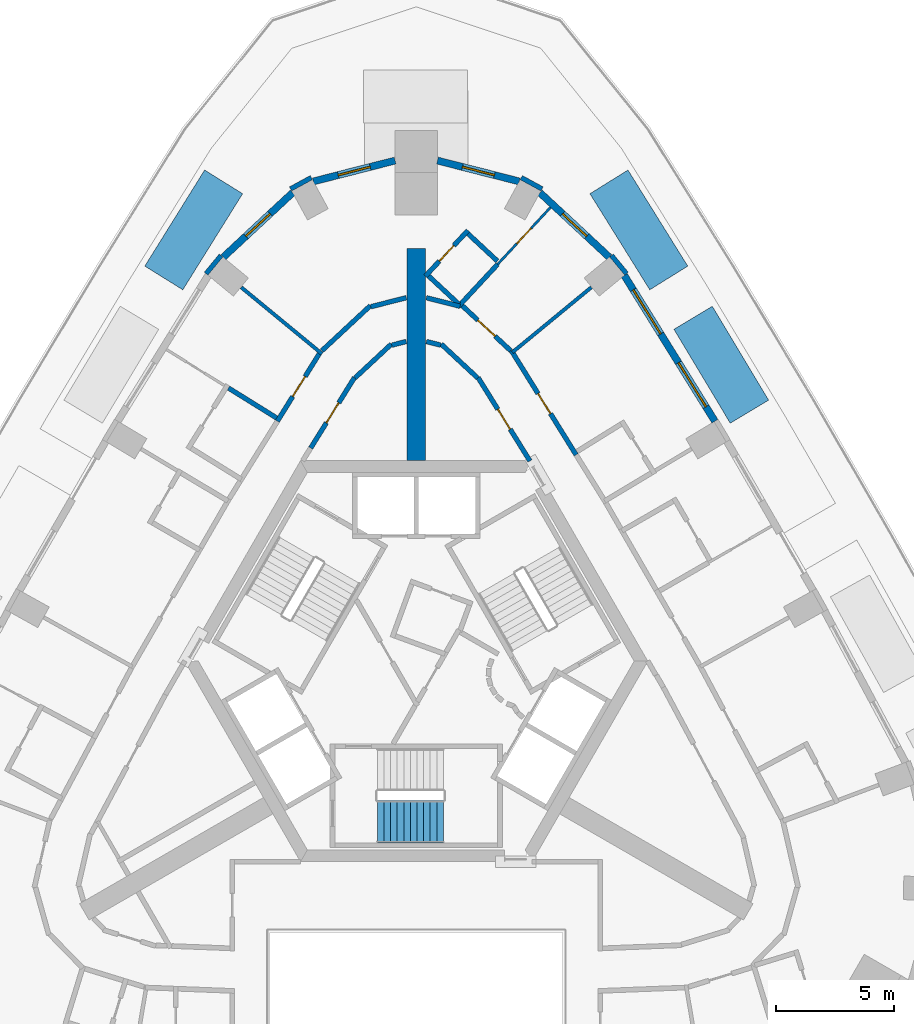
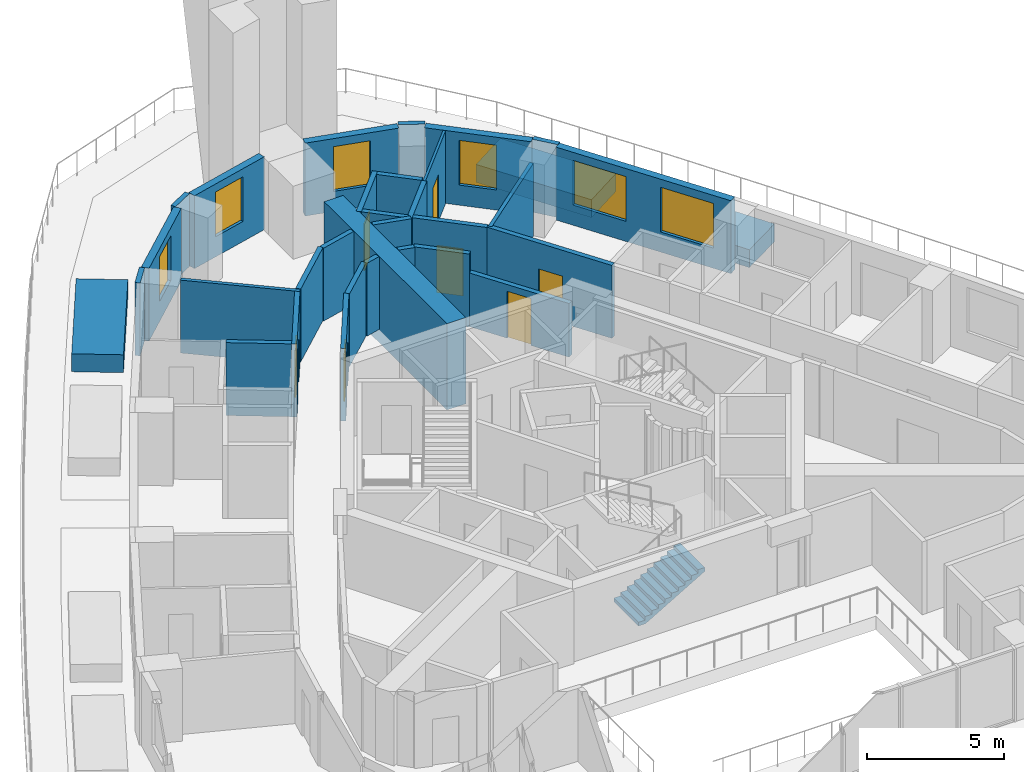
# One storey, part 8 of 12: 33 walls, 7 doors, 6 windows, 1 stair flight, 13 openings, 1 element without a shape of its own.
"""IFC4 building model written with IfcOpenShell, lengths in metres."""

from ifc_helpers import new_model, si_unit, direction, frame, frame_2d, origin, place, context, subcontext, project, spatial, polyline, rectangle, outline, extrude, material, layer, layer_set, type_object, element, fill, aggregate, save


model = new_model("IFC4")

# Units and contexts
model_context = context("Model", 3, precision=1e-05, world=origin(), true_north=direction((0.0, 1.0)))
body_context = subcontext(model_context, "Body", "Model", "MODEL_VIEW")
ifc_project = project(units=[si_unit("LENGTHUNIT", "METRE"), si_unit("AREAUNIT", "SQUARE_METRE"), si_unit("VOLUMEUNIT", "CUBIC_METRE"), si_unit("PLANEANGLEUNIT", "RADIAN"), si_unit("MASSUNIT", "GRAM", prefix="KILO")], contexts=[model_context])

# Site, building, storey
site_placement = place(None, origin())
site = spatial("IfcSite", under=ifc_project, at=site_placement, CompositionType="ELEMENT")
building_placement = place(site_placement, origin())
building = spatial("IfcBuilding", under=site, at=building_placement, Name="Entoto Arch Interchange Tower", CompositionType="ELEMENT")
storey_placement = place(building_placement, frame((0.0, 0.0, 286.39990234375)))
storey = spatial("IfcBuildingStorey", under=building, at=storey_placement, Name="L66", CompositionType="ELEMENT", Elevation=286.39990234375)

# Wall
ifc_material_1 = material(Name="Concrete C40/50", Category="concrete")
ifc_layer_1 = layer(ifc_material_1, 0.800048828125)
ifc_layer_set_1 = layer_set([ifc_layer_1], Name="Concrete C40/50")
wall_type_1 = type_object("IfcWallType", Name="Buttress wall 800 C40/50", PredefinedType="SHEAR", material=ifc_layer_set_1)
wall_1_placement = place(storey_placement, frame((0.0, 11.0, -0.599853515625), z_axis=(0.0, 0.0, 1.0), x_axis=(0.0, 1.0, 0.0)))
element("IfcWall", 1, at=wall_1_placement, inside=storey, type_object=wall_type_1, Name="Buttress wall N L66", PredefinedType="SHEAR", context=body_context, shape_type="SweptSolid", body=[
    extrude(rectangle(XDim=9.0, YDim=0.800048828125, at=frame_2d((4.5, 0.0))), origin(), (0.0, 0.0, 1.0), 3.85986328125),
])

# Wall, opening, door
ifc_material_2 = material(Name="Gypsum board partition on steel studs", Category="steel")
ifc_layer_2 = layer(ifc_material_2, 0.10009765625)
ifc_layer_set_2 = layer_set([ifc_layer_2], Name="Gypsum board partition on steel studs")
wall_type_2 = type_object("IfcWallType", Name="PARTITION 100", PredefinedType="PARTITIONING", material=ifc_layer_set_2)
wall_2_placement = place(storey_placement, frame((3.444091796875, 19.322021484375, 0.0), z_axis=(0.0, 0.0, 1.0), x_axis=(0.68085394361, 0.732419215662, 0.0)))
wall_2 = element("IfcWall", 2, at=wall_2_placement, inside=storey, type_object=wall_type_2, Name="wall:L66:p107", PredefinedType="PARTITIONING", context=body_context, shape_type="SweptSolid", body=[
    extrude(rectangle(XDim=3.300048828125, YDim=0.10009765625, at=frame_2d((1.64990234375, 0.0))), origin(), (0.0, 0.0, 1.0), 3.260009765625),
])
opening_1_placement = place(wall_2_placement, frame((1.199951171875, 0.0, 0.0)))
opening_1 = element("IfcOpeningElement", 3, at=opening_1_placement, cuts=wall_2, Name="Opening L66-D14", PredefinedType="OPENING", context=body_context, shape_type="SweptSolid", body=[
    extrude(rectangle(XDim=0.89990234375, YDim=2.10009765625, at=frame_2d((0.449951171875, 1.050048828125))), frame((0.0, 0.06005859375, 0.0), z_axis=(0.0, -1.0, 0.0), x_axis=(1.0, 0.0, 0.0)), (0.0, 0.0, 1.0), 0.1201171875),
])
ifc_material_3 = material(Name="Timber door leaf in Steel S235 frame", Category="steel")
door_type_1 = type_object("IfcDoorType", Name="DOOR DS-09 900x2100", OperationType="SINGLE_SWING_LEFT", PredefinedType="DOOR", material=ifc_material_3)
door_1_placement = place(opening_1_placement, origin())
door_1 = element("IfcDoor", 4, at=door_1_placement, inside=storey, type_object=door_type_1, Name="door:L66:14", OperationType="SINGLE_SWING_LEFT", OverallHeight=2.10009765625, OverallWidth=0.89990234375, PredefinedType="DOOR", context=body_context, shape_type="SweptSolid", body=[
    extrude(rectangle(XDim=0.89990234375, YDim=2.10009765625, at=frame_2d((0.449951171875, 1.050048828125))), frame((0.0, 0.02490234375, 0.0), z_axis=(0.0, -1.0, 0.0), x_axis=(1.0, 0.0, 0.0)), (0.0, 0.0, 1.0), 0.050048828125),
])
fill(opening_1, door_1)

# Walls
ifc_layer_3 = layer(ifc_material_2, 0.14990234375)
ifc_layer_set_3 = layer_set([ifc_layer_3], Name="Gypsum board partition on steel studs")
wall_type_3 = type_object("IfcWallType", Name="PARTITION 150", PredefinedType="PARTITIONING", material=ifc_layer_set_3)
wall_3_placement = place(storey_placement, frame((4.074951171875, 15.594970703125, 0.0), z_axis=(0.0, 0.0, 1.0), x_axis=(0.771899326406, 0.635744783616, 0.0)))
element("IfcWall", 5, at=wall_3_placement, inside=storey, type_object=wall_type_3, Name="wall:L66:p106", PredefinedType="PARTITIONING", context=body_context, shape_type="SweptSolid", body=[
    extrude(rectangle(XDim=4.332275390625, YDim=0.14990234375, at=frame_2d((2.166015625, 0.0))), origin(), (0.0, 0.0, 1.0), 3.260009765625),
])
wall_4_placement = place(storey_placement, frame((-3.998046875, 15.531982421875, 0.0), z_axis=(0.0, 0.0, 1.0), x_axis=(-0.771938186867, 0.635697597649, 0.0)))
element("IfcWall", 6, at=wall_4_placement, inside=storey, type_object=wall_type_3, Name="wall:L66:p112", PredefinedType="PARTITIONING", context=body_context, shape_type="SweptSolid", body=[
    extrude(rectangle(XDim=4.431640625, YDim=0.14990234375, at=frame_2d((2.2158203125, 0.0))), origin(), (0.0, 0.0, 1.0), 3.260009765625),
])

# Wall, opening, door
ifc_layer_4 = layer(ifc_material_2, 0.199951171875)
ifc_layer_set_4 = layer_set([ifc_layer_4], Name="Gypsum board partition on steel studs")
wall_type_4 = type_object("IfcWallType", Name="PARTITION 200", PredefinedType="PARTITIONING", material=ifc_layer_set_4)
wall_5_placement = place(storey_placement, frame((2.6201171875, 14.52587890625, 0.0), z_axis=(0.0, 0.0, 1.0), x_axis=(0.527726136463, -0.84941457775, 0.0)))
wall_5 = element("IfcWall", 7, at=wall_5_placement, inside=storey, type_object=wall_type_4, Name="wall:L66:p006", PredefinedType="PARTITIONING", context=body_context, shape_type="SweptSolid", body=[
    extrude(rectangle(XDim=4.1650390625, YDim=0.199951171875, at=frame_2d((2.08251953125, 0.0))), origin(), (0.0, 0.0, 1.0), 2.400146484375),
])
opening_2_placement = place(wall_5_placement, frame((1.5830078125, 0.0, 0.0)))
opening_2 = element("IfcOpeningElement", 8, at=opening_2_placement, cuts=wall_5, Name="Opening L66-D29", PredefinedType="OPENING", context=body_context, shape_type="SweptSolid", body=[
    extrude(rectangle(XDim=1.0, YDim=2.10009765625, at=frame_2d((0.5, 1.050048828125))), frame((0.0, 0.10986328125, 0.0), z_axis=(0.0, -1.0, 0.0), x_axis=(1.0, 0.0, 0.0)), (0.0, 0.0, 1.0), 0.219970703125),
])
door_type_2 = type_object("IfcDoorType", Name="DOOR DS-10 1000x2100", OperationType="SINGLE_SWING_LEFT", PredefinedType="DOOR", material=ifc_material_3)
door_2_placement = place(opening_2_placement, origin())
door_2 = element("IfcDoor", 9, at=door_2_placement, inside=storey, type_object=door_type_2, Name="door:L66:29", OperationType="SINGLE_SWING_RIGHT", OverallHeight=2.10009765625, OverallWidth=1.0, PredefinedType="DOOR", context=body_context, shape_type="SweptSolid", body=[
    extrude(rectangle(XDim=1.0, YDim=2.10009765625, at=frame_2d((0.5, 1.050048828125))), frame((0.0, 0.02490234375, 0.0), z_axis=(0.0, -1.0, 0.0), x_axis=(1.0, 0.0, 0.0)), (0.0, 0.0, 1.0), 0.050048828125),
])
fill(opening_2, door_2)

# Walls
wall_6_placement = place(storey_placement, frame((2.60009765625, 14.509033203125, 0.0), z_axis=(0.0, 0.0, 1.0), x_axis=(-0.732355024595, 0.680922989735, 0.0)))
element("IfcWall", 10, at=wall_6_placement, inside=storey, type_object=wall_type_4, Name="wall:L66:p007", PredefinedType="PARTITIONING", context=body_context, shape_type="SweptSolid", body=[
    extrude(rectangle(XDim=2.102783203125, YDim=0.199951171875, at=frame_2d((1.05126953125, 0.0))), origin(), (0.0, 0.0, 1.0), 3.260009765625),
])
for number, where, z_axis, x_axis, name in (
    (11, (1.035888671875, 15.89794921875, 0.0), (0.0, 0.0, 1.0), (-0.968899933785, 0.247452860787, 0.0), "wall:L66:p008"),
    (12, (-0.425048828125, 16.053955078125, 0.0), (0.0, 0.0, 1.0), (-0.968899933785, -0.247452860787, 0.0), "wall:L66:p009"),
):
    element("IfcWall", number, at=place(storey_placement, frame(where, z_axis=z_axis, x_axis=x_axis)), inside=storey, type_object=wall_type_4, Name=name, PredefinedType="PARTITIONING", context=body_context, shape_type="SweptSolid", body=[
        extrude(rectangle(XDim=0.63037109375, YDim=0.199951171875, at=frame_2d((0.315185546875, 0.0))), origin(), (0.0, 0.0, 1.0), 3.260009765625),
    ])
wall_7_placement = place(storey_placement, frame((-1.06005859375, 15.94091796875, 0.0), z_axis=(0.0, 0.0, 1.0), x_axis=(-0.732355024595, -0.680922989735, 0.0)))
element("IfcWall", 13, at=wall_7_placement, inside=storey, type_object=wall_type_4, Name="wall:L66:p010", PredefinedType="PARTITIONING", context=body_context, shape_type="SweptSolid", body=[
    extrude(rectangle(XDim=2.102783203125, YDim=0.199951171875, at=frame_2d((1.05126953125, 0.0))), origin(), (0.0, 0.0, 1.0), 3.260009765625),
])

# Wall, opening, door
wall_8_placement = place(storey_placement, frame((-2.6201171875, 14.52587890625, 0.0), z_axis=(0.0, 0.0, 1.0), x_axis=(-0.527787942423, -0.849376175692, 0.0)))
wall_8 = element("IfcWall", 14, at=wall_8_placement, inside=storey, type_object=wall_type_4, Name="wall:L66:p011", PredefinedType="PARTITIONING", context=body_context, shape_type="SweptSolid", body=[
    extrude(rectangle(XDim=3.5166015625, YDim=0.199951171875, at=frame_2d((1.75830078125, 0.0))), origin(), (0.0, 0.0, 1.0), 3.260009765625),
])
opening_3_placement = place(wall_8_placement, frame((1.258056640625, 0.0, 0.0)))
opening_3 = element("IfcOpeningElement", 15, at=opening_3_placement, cuts=wall_8, Name="Opening L66-D30", PredefinedType="OPENING", context=body_context, shape_type="SweptSolid", body=[
    extrude(rectangle(XDim=1.0, YDim=2.10009765625, at=frame_2d((0.5, 1.050048828125))), frame((0.0, 0.10986328125, 0.0), z_axis=(0.0, -1.0, 0.0), x_axis=(1.0, 0.0, 0.0)), (0.0, 0.0, 1.0), 0.219970703125),
])
door_3_placement = place(opening_3_placement, origin())
door_3 = element("IfcDoor", 16, at=door_3_placement, inside=storey, type_object=door_type_2, Name="door:L66:30", OperationType="SINGLE_SWING_RIGHT", OverallHeight=2.10009765625, OverallWidth=1.0, PredefinedType="DOOR", context=body_context, shape_type="SweptSolid", body=[
    extrude(rectangle(XDim=1.0, YDim=2.10009765625, at=frame_2d((0.5, 1.050048828125))), frame((0.0, 0.02490234375, 0.0), z_axis=(0.0, -1.0, 0.0), x_axis=(1.0, 0.0, 0.0)), (0.0, 0.0, 1.0), 0.050048828125),
])
fill(opening_3, door_3)

wall_9_placement = place(storey_placement, frame((4.02197265625, 15.679931640625, 0.0), z_axis=(0.0, 0.0, 1.0), x_axis=(0.527737948498, -0.849407239029, 0.0)))
wall_9 = element("IfcWall", 17, at=wall_9_placement, inside=storey, type_object=wall_type_4, Name="wall:L66:p040", PredefinedType="PARTITIONING", context=body_context, shape_type="SweptSolid", body=[
    extrude(rectangle(XDim=5.216552734375, YDim=0.199951171875, at=frame_2d((2.6083984375, 0.0))), origin(), (0.0, 0.0, 1.0), 3.260009765625),
])
opening_4_placement = place(wall_9_placement, frame((2.158935546875, 0.0, 0.0)))
opening_4 = element("IfcOpeningElement", 18, at=opening_4_placement, cuts=wall_9, Name="Opening L66-D11", PredefinedType="OPENING", context=body_context, shape_type="SweptSolid", body=[
    extrude(rectangle(XDim=1.0, YDim=2.10009765625, at=frame_2d((0.5, 1.050048828125))), frame((0.0, 0.10986328125, 0.0), z_axis=(0.0, -1.0, 0.0), x_axis=(1.0, 0.0, 0.0)), (0.0, 0.0, 1.0), 0.219970703125),
])
ifc_material_4 = material(Name="Fire-rated Steel S235 door and frame", Category="steel")
door_type_3 = type_object("IfcDoorType", Name="DOOR FD-10 1000x2100", OperationType="SINGLE_SWING_LEFT", PredefinedType="DOOR", material=ifc_material_4)
door_4_placement = place(opening_4_placement, origin())
door_4 = element("IfcDoor", 19, at=door_4_placement, inside=storey, type_object=door_type_3, Name="door:L66:11", OperationType="SINGLE_SWING_LEFT", OverallHeight=2.10009765625, OverallWidth=1.0, PredefinedType="DOOR", context=body_context, shape_type="SweptSolid", body=[
    extrude(rectangle(XDim=1.0, YDim=2.10009765625, at=frame_2d((0.5, 1.050048828125))), frame((0.0, 0.02490234375, 0.0), z_axis=(0.0, -1.0, 0.0), x_axis=(1.0, 0.0, 0.0)), (0.0, 0.0, 1.0), 0.050048828125),
])
fill(opening_4, door_4)

wall_10_placement = place(storey_placement, frame((1.948974609375, 17.572021484375, 0.0), z_axis=(0.0, 0.0, 1.0), x_axis=(0.732331154554, -0.680948661846, 0.0)))
wall_10 = element("IfcWall", 20, at=wall_10_placement, inside=storey, type_object=wall_type_4, Name="wall:L66:p042", PredefinedType="PARTITIONING", context=body_context, shape_type="SweptSolid", body=[
    extrude(rectangle(XDim=2.803466796875, YDim=0.199951171875, at=frame_2d((1.40185546875, 0.0))), origin(), (0.0, 0.0, 1.0), 3.260009765625),
])
opening_5_placement = place(wall_10_placement, frame((0.90087890625, 0.0, 0.0)))
opening_5 = element("IfcOpeningElement", 21, at=opening_5_placement, cuts=wall_10, Name="Opening L66-D13", PredefinedType="OPENING", context=body_context, shape_type="SweptSolid", body=[
    extrude(rectangle(XDim=1.0, YDim=2.10009765625, at=frame_2d((0.5, 1.050048828125))), frame((0.0, 0.10986328125, 0.0), z_axis=(0.0, -1.0, 0.0), x_axis=(1.0, 0.0, 0.0)), (0.0, 0.0, 1.0), 0.219970703125),
])
door_5_placement = place(opening_5_placement, origin())
door_5 = element("IfcDoor", 22, at=door_5_placement, inside=storey, type_object=door_type_3, Name="door:L66:13", OperationType="SINGLE_SWING_LEFT", OverallHeight=2.10009765625, OverallWidth=1.0, PredefinedType="DOOR", context=body_context, shape_type="SweptSolid", body=[
    extrude(rectangle(XDim=1.0, YDim=2.10009765625, at=frame_2d((0.5, 1.050048828125))), frame((0.0, 0.02490234375, 0.0), z_axis=(0.0, -1.0, 0.0), x_axis=(1.0, 0.0, 0.0)), (0.0, 0.0, 1.0), 0.050048828125),
])
fill(opening_5, door_5)

# Walls
wall_11_placement = place(storey_placement, frame((-4.001953125, 15.6630859375, 0.0), z_axis=(0.0, 0.0, 1.0), x_axis=(0.732331154554, 0.680948661846, 0.0)))
element("IfcWall", 23, at=wall_11_placement, inside=storey, type_object=wall_type_4, Name="wall:L66:p043", PredefinedType="PARTITIONING", context=body_context, shape_type="SweptSolid", body=[
    extrude(rectangle(XDim=2.803466796875, YDim=0.199951171875, at=frame_2d((1.40185546875, 0.0))), origin(), (0.0, 0.0, 1.0), 3.260009765625),
])
wall_12_placement = place(storey_placement, frame((-1.926025390625, 17.528076171875, 0.0), z_axis=(0.0, 0.0, 1.0), x_axis=(0.968981980879, 0.247131383542, 0.0)))
element("IfcWall", 24, at=wall_12_placement, inside=storey, type_object=wall_type_4, Name="wall:L66:p044", PredefinedType="PARTITIONING", context=body_context, shape_type="SweptSolid", body=[
    extrude(rectangle(XDim=1.549072265625, YDim=0.199951171875, at=frame_2d((0.7744140625, 0.0))), origin(), (0.0, 0.0, 1.0), 3.260009765625),
])
wall_13_placement = place(storey_placement, frame((0.425048828125, 17.910888671875, 0.0), z_axis=(0.0, 0.0, 1.0), x_axis=(0.969051069597, -0.246860334023, 0.0)))
element("IfcWall", 25, at=wall_13_placement, inside=storey, type_object=wall_type_4, Name="wall:L66:p045", PredefinedType="PARTITIONING", context=body_context, shape_type="SweptSolid", body=[
    extrude(rectangle(XDim=1.4736328125, YDim=0.199951171875, at=frame_2d((0.73681640625, 0.0))), origin(), (0.0, 0.0, 1.0), 3.260009765625),
])

# Wall, opening, door
wall_14_placement = place(storey_placement, frame((-5.888916015625, 12.675048828125, 0.0), z_axis=(0.0, 0.0, 1.0), x_axis=(0.527550626699, 0.849523593709, 0.0)))
wall_14 = element("IfcWall", 26, at=wall_14_placement, inside=storey, type_object=wall_type_4, Name="wall:L66:p046", PredefinedType="PARTITIONING", context=body_context, shape_type="SweptSolid", body=[
    extrude(rectangle(XDim=3.462890625, YDim=0.199951171875, at=frame_2d((1.7314453125, 0.0))), origin(), (0.0, 0.0, 1.0), 3.260009765625),
])
opening_6_placement = place(wall_14_placement, frame((1.23095703125, 0.0, 0.0)))
opening_6 = element("IfcOpeningElement", 27, at=opening_6_placement, cuts=wall_14, Name="Opening L66-D16", PredefinedType="OPENING", context=body_context, shape_type="SweptSolid", body=[
    extrude(rectangle(XDim=1.0, YDim=2.10009765625, at=frame_2d((0.5, 1.050048828125))), frame((0.0, 0.10986328125, 0.0), z_axis=(0.0, -1.0, 0.0), x_axis=(1.0, 0.0, 0.0)), (0.0, 0.0, 1.0), 0.219970703125),
])
door_6_placement = place(opening_6_placement, origin())
door_6 = element("IfcDoor", 28, at=door_6_placement, inside=storey, type_object=door_type_3, Name="door:L66:16", OperationType="SINGLE_SWING_LEFT", OverallHeight=2.10009765625, OverallWidth=1.0, PredefinedType="DOOR", context=body_context, shape_type="SweptSolid", body=[
    extrude(rectangle(XDim=1.0, YDim=2.10009765625, at=frame_2d((0.5, 1.050048828125))), frame((0.0, 0.02490234375, 0.0), z_axis=(0.0, -1.0, 0.0), x_axis=(1.0, 0.0, 0.0)), (0.0, 0.0, 1.0), 0.050048828125),
])
fill(opening_6, door_6)

# Walls
wall_15_placement = place(storey_placement, frame((1.77587890625, 17.528076171875, 0.0), z_axis=(0.0, 0.0, 1.0), x_axis=(0.680978439741, 0.732303464834, 0.0)))
element("IfcWall", 29, at=wall_15_placement, inside=storey, type_object=wall_type_4, Name="wall:L66:p108", PredefinedType="PARTITIONING", context=body_context, shape_type="SweptSolid", body=[
    extrude(rectangle(XDim=2.44970703125, YDim=0.199951171875, at=frame_2d((1.224853515625, 0.0))), origin(), (0.0, 0.0, 1.0), 3.260009765625),
])
wall_16_placement = place(storey_placement, frame((3.43896484375, 19.464111328125, 0.0), z_axis=(0.0, 0.0, 1.0), x_axis=(-0.732491549411, 0.68077612329, 0.0)))
element("IfcWall", 30, at=wall_16_placement, inside=storey, type_object=wall_type_4, Name="wall:L66:p109", PredefinedType="PARTITIONING", context=body_context, shape_type="SweptSolid", body=[
    extrude(rectangle(XDim=1.699462890625, YDim=0.199951171875, at=frame_2d((0.849609375, 0.0))), origin(), (0.0, 0.0, 1.0), 3.260009765625),
])

# Wall, opening, door
wall_17_placement = place(storey_placement, frame((2.18896484375, 20.762939453125, 0.0), z_axis=(0.0, 0.0, 1.0), x_axis=(-0.680987945319, -0.73229462536, 0.0)))
wall_17 = element("IfcWall", 31, at=wall_17_placement, inside=storey, type_object=wall_type_4, Name="wall:L66:p110", PredefinedType="PARTITIONING", context=body_context, shape_type="SweptSolid", body=[
    extrude(rectangle(XDim=2.650390625, YDim=0.199951171875, at=frame_2d((1.3251953125, 0.0))), origin(), (0.0, 0.0, 1.0), 3.260009765625),
])
opening_7_placement = place(wall_17_placement, frame((0.875, 0.0, 0.0)))
opening_7 = element("IfcOpeningElement", 32, at=opening_7_placement, cuts=wall_17, Name="Opening L66-D15", PredefinedType="OPENING", context=body_context, shape_type="SweptSolid", body=[
    extrude(rectangle(XDim=0.89990234375, YDim=2.10009765625, at=frame_2d((0.449951171875, 1.050048828125))), frame((0.0, 0.10986328125, 0.0), z_axis=(0.0, -1.0, 0.0), x_axis=(1.0, 0.0, 0.0)), (0.0, 0.0, 1.0), 0.219970703125),
])
door_7_placement = place(opening_7_placement, origin())
door_7 = element("IfcDoor", 33, at=door_7_placement, inside=storey, type_object=door_type_1, Name="door:L66:15", OperationType="SINGLE_SWING_LEFT", OverallHeight=2.10009765625, OverallWidth=0.89990234375, PredefinedType="DOOR", context=body_context, shape_type="SweptSolid", body=[
    extrude(rectangle(XDim=0.89990234375, YDim=2.10009765625, at=frame_2d((0.449951171875, 1.050048828125))), frame((0.0, 0.02490234375, 0.0), z_axis=(0.0, -1.0, 0.0), x_axis=(1.0, 0.0, 0.0)), (0.0, 0.0, 1.0), 0.050048828125),
])
fill(opening_7, door_7)

# Walls
wall_18_placement = place(storey_placement, frame((0.52587890625, 18.826904296875, 0.0), z_axis=(0.0, 0.0, 1.0), x_axis=(0.732112296378, -0.681183958628, 0.0)))
element("IfcWall", 34, at=wall_18_placement, inside=storey, type_object=wall_type_4, Name="wall:L66:p111", PredefinedType="PARTITIONING", context=body_context, shape_type="SweptSolid", body=[
    extrude(rectangle(XDim=1.749755859375, YDim=0.199951171875, at=frame_2d((0.875, 0.0))), origin(), (0.0, 0.0, 1.0), 3.260009765625),
])
wall_19_placement = place(storey_placement, frame((-5.9208984375, 12.81298828125, 0.0), z_axis=(0.0, 0.0, 1.0), x_axis=(-0.849366650736, 0.527803270752, 0.0)))
element("IfcWall", 35, at=wall_19_placement, inside=storey, type_object=wall_type_4, Name="wall:L66:p114", PredefinedType="PARTITIONING", context=body_context, shape_type="SweptSolid", body=[
    extrude(rectangle(XDim=2.400634765625, YDim=0.199951171875, at=frame_2d((1.2001953125, 0.0))), origin(), (0.0, 0.0, 1.0), 3.260009765625),
])
ifc_material_5 = material(Name="Board-marked precast concrete C50/60", Category="concrete")
ifc_layer_5 = layer(ifc_material_5, 1.89990234375)
ifc_layer_set_5 = layer_set([ifc_layer_5], Name="Board-marked precast concrete C50/60")
wall_type_5 = type_object("IfcWallType", Name="PLANTER RC 1900 Hagenia abyssinica", PredefinedType="STANDARD", material=ifc_layer_set_5)
wall_20_placement = place(storey_placement, frame((14.123046875, 13.0791015625, 0.0), z_axis=(0.0, 0.0, 1.0), x_axis=(-0.514333285091, 0.857590386984, 0.0)))
element("IfcWall", 36, at=wall_20_placement, inside=storey, type_object=wall_type_5, Name="Terrace planter NE-04 L66", PredefinedType="STANDARD", context=body_context, shape_type="SweptSolid", body=[
    extrude(rectangle(XDim=4.640869140625, YDim=1.89990234375, at=frame_2d((2.3203125, 0.0))), origin(), (0.0, 0.0, 1.0), 0.800048828125),
])
ifc_layer_6 = layer(ifc_material_5, 1.89990234375)
ifc_layer_set_6 = layer_set([ifc_layer_6], Name="Board-marked precast concrete C50/60")
wall_type_6 = type_object("IfcWallType", Name="PLANTER RC 1900 Olea europaea subsp. cuspidata", PredefinedType="STANDARD", material=ifc_layer_set_6)
wall_21_placement = place(storey_placement, frame((-8.1669921875, 22.821044921875, 0.0), z_axis=(0.0, 0.0, 1.0), x_axis=(-0.528631074262, -0.848851687472, 0.0)))
element("IfcWall", 37, at=wall_21_placement, inside=storey, type_object=wall_type_6, Name="Terrace planter NW-01 L66", PredefinedType="STANDARD", context=body_context, shape_type="SweptSolid", body=[
    extrude(rectangle(XDim=4.79931640625, YDim=1.89990234375, at=frame_2d((2.399658203125, 0.0))), origin(), (0.0, 0.0, 1.0), 0.800048828125),
])
ifc_layer_7 = layer(ifc_material_5, 1.89990234375)
ifc_layer_set_7 = layer_set([ifc_layer_7], Name="Board-marked precast concrete C50/60")
wall_type_7 = type_object("IfcWallType", Name="PLANTER RC 1900 Vachellia abyssinica", PredefinedType="STANDARD", material=ifc_layer_set_7)
wall_22_placement = place(storey_placement, frame((10.7041015625, 18.7470703125, 0.0), z_axis=(0.0, 0.0, 1.0), x_axis=(-0.528631074262, 0.848851687472, 0.0)))
element("IfcWall", 38, at=wall_22_placement, inside=storey, type_object=wall_type_7, Name="Terrace planter NE-05 L66", PredefinedType="STANDARD", context=body_context, shape_type="SweptSolid", body=[
    extrude(rectangle(XDim=4.79931640625, YDim=1.89990234375, at=frame_2d((2.399658203125, 0.0))), origin(), (0.0, 0.0, 1.0), 0.800048828125),
])

# Wall, openings, windows
ifc_material_6 = material(Name="Welded tuff (ignimbrite) cladding, warm buff", Category="masonry")
ifc_layer_8 = layer(ifc_material_6, 0.300048828125)
ifc_layer_set_8 = layer_set([ifc_layer_8], Name="Welded tuff (ignimbrite) cladding, warm buff")
wall_type_8 = type_object("IfcWallType", Name="STONE INFILL WALL 300", PredefinedType="STANDARD", material=ifc_layer_set_8)
wall_23_placement = place(storey_placement, frame((12.658935546875, 12.675048828125, 0.0), z_axis=(0.0, 0.0, 1.0), x_axis=(-0.527762071678, 0.849392250788, 0.0)))
wall_23 = element("IfcWall", 39, at=wall_23_placement, inside=storey, type_object=wall_type_8, Name="Facade wall NE-03 L66", PredefinedType="STANDARD", context=body_context, shape_type="SweptSolid", body=[
    extrude(rectangle(XDim=7.275634765625, YDim=0.300048828125, at=frame_2d((3.6376953125, 0.0))), origin(), (0.0, 0.0, 1.0), 3.260009765625),
])
opening_8_placement = place(wall_23_placement, frame((0.718994140625, 0.0, 0.89990234375)))
opening_8 = element("IfcOpeningElement", 40, at=opening_8_placement, cuts=wall_23, Name="Opening WH-A", PredefinedType="OPENING", context=body_context, shape_type="SweptSolid", body=[
    extrude(rectangle(XDim=2.199951171875, YDim=2.0, at=frame_2d((1.10009765625, 1.0))), frame((0.0, 0.16015625, 0.0), z_axis=(0.0, -1.0, 0.0), x_axis=(1.0, 0.0, 0.0)), (0.0, 0.0, 1.0), 0.320068359375),
])
opening_9_placement = place(wall_23_placement, frame((4.35693359375, 0.0, 0.89990234375)))
opening_9 = element("IfcOpeningElement", 41, at=opening_9_placement, cuts=wall_23, Name="Opening WH-A", PredefinedType="OPENING", context=body_context, shape_type="SweptSolid", body=[
    extrude(rectangle(XDim=2.199951171875, YDim=2.0, at=frame_2d((1.10009765625, 1.0))), frame((0.0, 0.16015625, 0.0), z_axis=(0.0, -1.0, 0.0), x_axis=(1.0, 0.0, 0.0)), (0.0, 0.0, 1.0), 0.320068359375),
])
ifc_material_7 = material(Name="Clear glass, low-e double glazed", Category="glass")
window_type_1 = type_object("IfcWindowType", Name="WINDOW WH-A 2200x2000", PartitioningType="DOUBLE_PANEL_VERTICAL", PredefinedType="WINDOW", material=ifc_material_7)
window_1_placement = place(opening_8_placement, origin())
window_1 = element("IfcWindow", 42, at=window_1_placement, inside=storey, type_object=window_type_1, Name="Window WH-A NE-03 L66", OverallHeight=2.0, OverallWidth=2.199951171875, PartitioningType="SINGLE_PANEL", PredefinedType="WINDOW", context=body_context, shape_type="SweptSolid", body=[
    extrude(rectangle(XDim=2.199951171875, YDim=2.0, at=frame_2d((1.10009765625, 1.0))), frame((0.0, 0.030029296875, 0.0), z_axis=(0.0, -1.0, 0.0), x_axis=(1.0, 0.0, 0.0)), (0.0, 0.0, 1.0), 0.06005859375),
])
fill(opening_8, window_1)
window_2_placement = place(opening_9_placement, origin())
window_2 = element("IfcWindow", 43, at=window_2_placement, inside=storey, type_object=window_type_1, Name="Window WH-A NE-03 L66", OverallHeight=2.0, OverallWidth=2.199951171875, PartitioningType="SINGLE_PANEL", PredefinedType="WINDOW", context=body_context, shape_type="SweptSolid", body=[
    extrude(rectangle(XDim=2.199951171875, YDim=2.0, at=frame_2d((1.10009765625, 1.0))), frame((0.0, 0.030029296875, 0.0), z_axis=(0.0, -1.0, 0.0), x_axis=(1.0, 0.0, 0.0)), (0.0, 0.0, 1.0), 0.06005859375),
])
fill(opening_9, window_2)

# Wall, opening, window
wall_24_placement = place(storey_placement, frame((8.18408203125, 19.6259765625, 0.0), z_axis=(0.0, 0.0, 1.0), x_axis=(-0.732397380344, 0.680877431896, 0.0)))
wall_24 = element("IfcWall", 44, at=wall_24_placement, inside=storey, type_object=wall_type_8, Name="Facade wall N-01 L66", PredefinedType="STANDARD", context=body_context, shape_type="SweptSolid", body=[
    extrude(rectangle(XDim=4.0185546875, YDim=0.300048828125, at=frame_2d((2.00927734375, 0.0))), origin(), (0.0, 0.0, 1.0), 3.260009765625),
])
opening_10_placement = place(wall_24_placement, frame((1.30908203125, 0.0, 0.89990234375)))
opening_10 = element("IfcOpeningElement", 45, at=opening_10_placement, cuts=wall_24, Name="Opening WH-B", PredefinedType="OPENING", context=body_context, shape_type="SweptSolid", body=[
    extrude(rectangle(XDim=1.39990234375, YDim=2.0, at=frame_2d((0.699951171875, 1.0))), frame((0.0, 0.16015625, 0.0), z_axis=(0.0, -1.0, 0.0), x_axis=(1.0, 0.0, 0.0)), (0.0, 0.0, 1.0), 0.320068359375),
])
window_type_2 = type_object("IfcWindowType", Name="WINDOW WH-B 1400x2000", PartitioningType="DOUBLE_PANEL_VERTICAL", PredefinedType="WINDOW", material=ifc_material_7)
window_3_placement = place(opening_10_placement, origin())
window_3 = element("IfcWindow", 46, at=window_3_placement, inside=storey, type_object=window_type_2, Name="Window WH-B N-01 L66", OverallHeight=2.0, OverallWidth=1.39990234375, PartitioningType="SINGLE_PANEL", PredefinedType="WINDOW", context=body_context, shape_type="SweptSolid", body=[
    extrude(rectangle(XDim=1.39990234375, YDim=2.0, at=frame_2d((0.699951171875, 1.0))), frame((0.0, 0.030029296875, 0.0), z_axis=(0.0, -1.0, 0.0), x_axis=(1.0, 0.0, 0.0)), (0.0, 0.0, 1.0), 0.06005859375),
])
fill(opening_10, window_3)

wall_25_placement = place(storey_placement, frame((4.364990234375, 22.840087890625, 0.0), z_axis=(0.0, 0.0, 1.0), x_axis=(-0.968979290476, 0.247141932156, 0.0)))
wall_25 = element("IfcWall", 47, at=wall_25_placement, inside=storey, type_object=wall_type_8, Name="Facade wall N-02 L66", PredefinedType="STANDARD", context=body_context, shape_type="SweptSolid", body=[
    extrude(rectangle(XDim=3.576904296875, YDim=0.300048828125, at=frame_2d((1.78857421875, 0.0))), origin(), (0.0, 0.0, 1.0), 3.260009765625),
])
opening_11_placement = place(wall_25_placement, frame((1.087890625, 0.0, 0.89990234375)))
opening_11 = element("IfcOpeningElement", 48, at=opening_11_placement, cuts=wall_25, Name="Opening WH-B", PredefinedType="OPENING", context=body_context, shape_type="SweptSolid", body=[
    extrude(rectangle(XDim=1.39990234375, YDim=2.0, at=frame_2d((0.699951171875, 1.0))), frame((0.0, 0.16015625, 0.0), z_axis=(0.0, -1.0, 0.0), x_axis=(1.0, 0.0, 0.0)), (0.0, 0.0, 1.0), 0.320068359375),
])
window_4_placement = place(opening_11_placement, origin())
window_4 = element("IfcWindow", 49, at=window_4_placement, inside=storey, type_object=window_type_2, Name="Window WH-B N-02 L66", OverallHeight=2.0, OverallWidth=1.39990234375, PartitioningType="SINGLE_PANEL", PredefinedType="WINDOW", context=body_context, shape_type="SweptSolid", body=[
    extrude(rectangle(XDim=1.39990234375, YDim=2.0, at=frame_2d((0.699951171875, 1.0))), frame((0.0, 0.030029296875, 0.0), z_axis=(0.0, -1.0, 0.0), x_axis=(1.0, 0.0, 0.0)), (0.0, 0.0, 1.0), 0.06005859375),
])
fill(opening_11, window_4)

wall_26_placement = place(storey_placement, frame((-0.89892578125, 23.72412109375, 0.0), z_axis=(0.0, 0.0, 1.0), x_axis=(-0.968979290476, -0.247141932156, 0.0)))
wall_26 = element("IfcWall", 50, at=wall_26_placement, inside=storey, type_object=wall_type_8, Name="Facade wall N-03 L66", PredefinedType="STANDARD", context=body_context, shape_type="SweptSolid", body=[
    extrude(rectangle(XDim=3.576904296875, YDim=0.300048828125, at=frame_2d((1.78857421875, 0.0))), origin(), (0.0, 0.0, 1.0), 3.260009765625),
])
opening_12_placement = place(wall_26_placement, frame((1.087890625, 0.0, 0.89990234375)))
opening_12 = element("IfcOpeningElement", 51, at=opening_12_placement, cuts=wall_26, Name="Opening WH-B", PredefinedType="OPENING", context=body_context, shape_type="SweptSolid", body=[
    extrude(rectangle(XDim=1.39990234375, YDim=2.0, at=frame_2d((0.699951171875, 1.0))), frame((0.0, 0.16015625, 0.0), z_axis=(0.0, -1.0, 0.0), x_axis=(1.0, 0.0, 0.0)), (0.0, 0.0, 1.0), 0.320068359375),
])
window_5_placement = place(opening_12_placement, origin())
window_5 = element("IfcWindow", 52, at=window_5_placement, inside=storey, type_object=window_type_2, Name="Window WH-B N-03 L66", OverallHeight=2.0, OverallWidth=1.39990234375, PartitioningType="SINGLE_PANEL", PredefinedType="WINDOW", context=body_context, shape_type="SweptSolid", body=[
    extrude(rectangle(XDim=1.39990234375, YDim=2.0, at=frame_2d((0.699951171875, 1.0))), frame((0.0, 0.030029296875, 0.0), z_axis=(0.0, -1.0, 0.0), x_axis=(1.0, 0.0, 0.0)), (0.0, 0.0, 1.0), 0.06005859375),
])
fill(opening_12, window_5)

wall_27_placement = place(storey_placement, frame((-5.240966796875, 22.362060546875, 0.0), z_axis=(0.0, 0.0, 1.0), x_axis=(-0.732397380344, -0.680877431896, 0.0)))
wall_27 = element("IfcWall", 53, at=wall_27_placement, inside=storey, type_object=wall_type_8, Name="Facade wall N-04 L66", PredefinedType="STANDARD", context=body_context, shape_type="SweptSolid", body=[
    extrude(rectangle(XDim=4.0185546875, YDim=0.300048828125, at=frame_2d((2.00927734375, 0.0))), origin(), (0.0, 0.0, 1.0), 3.260009765625),
])
opening_13_placement = place(wall_27_placement, frame((1.30908203125, 0.0, 0.89990234375)))
opening_13 = element("IfcOpeningElement", 54, at=opening_13_placement, cuts=wall_27, Name="Opening WH-B", PredefinedType="OPENING", context=body_context, shape_type="SweptSolid", body=[
    extrude(rectangle(XDim=1.39990234375, YDim=2.0, at=frame_2d((0.699951171875, 1.0))), frame((0.0, 0.16015625, 0.0), z_axis=(0.0, -1.0, 0.0), x_axis=(1.0, 0.0, 0.0)), (0.0, 0.0, 1.0), 0.320068359375),
])
window_6_placement = place(opening_13_placement, origin())
window_6 = element("IfcWindow", 55, at=window_6_placement, inside=storey, type_object=window_type_2, Name="Window WH-B N-04 L66", OverallHeight=2.0, OverallWidth=1.39990234375, PartitioningType="SINGLE_PANEL", PredefinedType="WINDOW", context=body_context, shape_type="SweptSolid", body=[
    extrude(rectangle(XDim=1.39990234375, YDim=2.0, at=frame_2d((0.699951171875, 1.0))), frame((0.0, 0.030029296875, 0.0), z_axis=(0.0, -1.0, 0.0), x_axis=(1.0, 0.0, 0.0)), (0.0, 0.0, 1.0), 0.06005859375),
])
fill(opening_13, window_6)

# Walls
ifc_layer_9 = layer(ifc_material_6, 0.199951171875)
ifc_layer_set_9 = layer_set([ifc_layer_9], Name="Welded tuff (ignimbrite) cladding, warm buff")
wall_type_9 = type_object("IfcWallType", Name="STONE PIER CLADDING 200", PredefinedType="STANDARD", material=ifc_layer_set_9)
for number, where, z_axis, x_axis, name in (
    (56, (5.3291015625, 22.52197265625, 0.0), (0.0, 0.0, 1.0), (-0.877895572914, 0.478852130681, 0.0), "Stone pier N1 L66"),
    (57, (-4.450927734375, 23.0009765625, 0.0), (0.0, 0.0, 1.0), (-0.877895572914, -0.478852130681, 0.0), "Stone pier N3 L66"),
    (58, (8.910888671875, 18.928955078125, 0.0), (0.0, 0.0, 1.0), (-0.635852688617, 0.771810441999, 0.0), "Stone pier NE04 L66"),
    (59, (-8.27490234375, 19.700927734375, 0.0), (0.0, 0.0, 1.0), (-0.635852688617, -0.771810441999, 0.0), "Stone pier NW01 L66"),
):
    element("IfcWall", number, at=place(storey_placement, frame(where, z_axis=z_axis, x_axis=x_axis)), inside=storey, type_object=wall_type_9, Name=name, PredefinedType="STANDARD", context=body_context, shape_type="SweptSolid", body=[
        extrude(rectangle(XDim=1.000244140625, YDim=0.199951171875, at=frame_2d((0.5, 0.0))), origin(), (0.0, 0.0, 1.0), 3.260009765625),
    ])

# Stair, stair flight
stair_type = type_object("IfcStairType", Name="EXIT STAIR RC 1800", PredefinedType="HALF_TURN_STAIR", material=ifc_material_1)
stair_placement = place(storey_placement, origin())
stair = element("IfcStair", 60, at=stair_placement, inside=storey, type_object=stair_type, Name="L66 Exit stair S", PredefinedType="HALF_TURN_STAIR")
stair_flight_type = type_object("IfcStairFlightType", Name="EXIT STAIR FLIGHT RC 1800", PredefinedType="STRAIGHT", material=ifc_material_1)
stair_flight_placement = place(storey_placement, frame((-1.64990234375, -4.300048828125, 0.0), z_axis=(0.0, 0.0, 1.0), x_axis=(1.0, 0.0, 0.0)))
stair_flight = element("IfcStairFlight", 61, at=stair_flight_placement, type_object=stair_flight_type, Name="ST-S flight 1", NumberOfRisers=11, NumberOfTreads=10, PredefinedType="STRAIGHT", RiserHeight=0.163636364, TreadLength=0.28, context=body_context, shape_type="SweptSolid", body=[
    extrude(outline(polyline([(-0.0029296875, 0.0), (-0.0029296875, 0.16357421875), (0.280029296875, 0.16357421875), (0.280029296875, 0.327392578125), (0.56005859375, 0.327392578125), (0.56005859375, 0.490966796875), (0.840087890625, 0.490966796875), (0.840087890625, 0.654541015625), (1.1201171875, 0.654541015625), (1.1201171875, 0.818115234375), (1.39990234375, 0.818115234375), (1.39990234375, 0.98193359375), (1.679931640625, 0.98193359375), (1.679931640625, 1.1455078125), (1.9599609375, 1.1455078125), (1.9599609375, 1.30908203125), (2.239990234375, 1.30908203125), (2.239990234375, 1.47265625), (2.52001953125, 1.47265625), (2.52001953125, 1.636474609375), (2.800048828125, 1.636474609375), (2.802978515625, 1.636474609375), (2.802978515625, 1.464599609375), (0.297119140625, 0.0), (-0.0029296875, 0.0)])), frame((0.0, 0.89990234375, 0.0), z_axis=(0.0, -1.0, 0.0), x_axis=(1.0, 0.0, 0.0)), (0.0, 0.0, 1.0), 1.800048828125),
])
aggregate(stair, [stair_flight])

save(model, "model.ifc")
